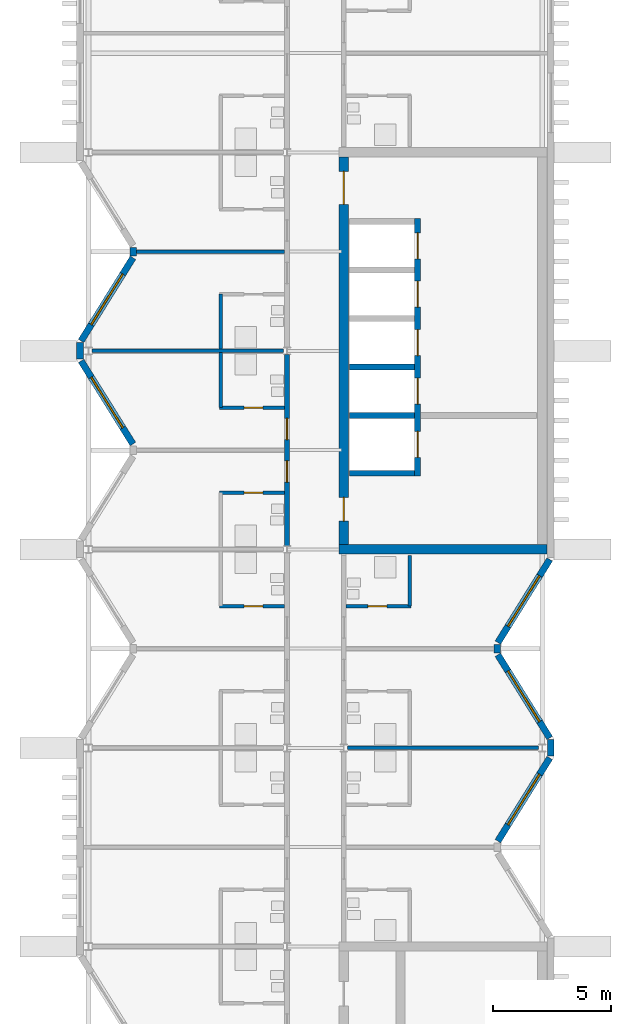
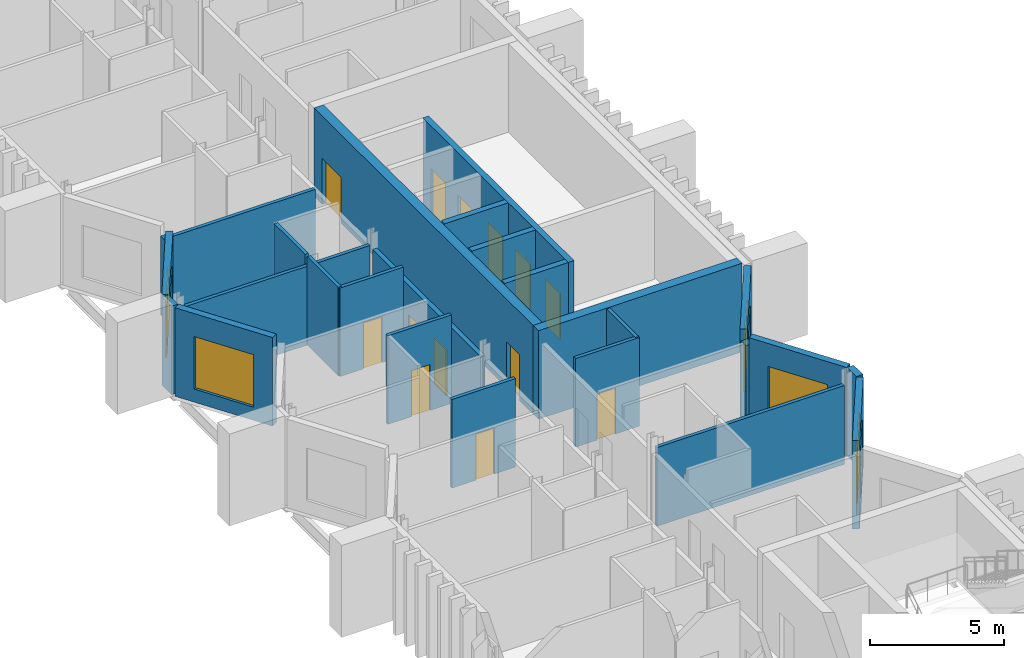
# One storey, part 6 of 11: 26 walls, 13 doors, 5 windows, 18 openings.
"""IFC4 building model written with IfcOpenShell, lengths in metres."""

from ifc_helpers import new_model, si_unit, direction, frame, frame_2d, origin, place, context, subcontext, project, spatial, rectangle, extrude, material, layer, layer_set, type_object, element, fill, save


model = new_model("IFC4")

# Units and contexts
model_context = context("Model", 3, precision=1e-05, world=origin(), true_north=direction((0.0, 1.0)))
body_context = subcontext(model_context, "Body", "Model", "MODEL_VIEW")
ifc_project = project(units=[si_unit("LENGTHUNIT", "METRE"), si_unit("AREAUNIT", "SQUARE_METRE"), si_unit("VOLUMEUNIT", "CUBIC_METRE"), si_unit("PLANEANGLEUNIT", "RADIAN"), si_unit("MASSUNIT", "GRAM", prefix="KILO")], contexts=[model_context])

# Site, building, storey
site_placement = place(None, origin())
site = spatial("IfcSite", under=ifc_project, at=site_placement, CompositionType="ELEMENT")
building_placement = place(site_placement, origin())
building = spatial("IfcBuilding", under=site, at=building_placement, Name="Cresset Court Congress Hotel", CompositionType="ELEMENT")
storey_placement = place(building_placement, frame((0.0, 0.0, 52.199951171875)))
storey = spatial("IfcBuildingStorey", under=building, at=storey_placement, Name="L12", CompositionType="ELEMENT", Elevation=52.199951171875)

# Wall, openings, doors
ifc_material_1 = material(Name="Gypsum board partition")
ifc_layer_1 = layer(ifc_material_1, 0.199951171875)
ifc_layer_set_1 = layer_set([ifc_layer_1], Name="Corridor wall 200")
wall_type_1 = type_object("IfcWallType", Name="Corridor wall 200", PredefinedType="PARTITIONING", material=ifc_layer_set_1)
wall_1_placement = place(storey_placement, frame((165.60009765625, 25.35009765625, 0.0), z_axis=(0.0, 0.0, 1.0), x_axis=(0.0, 1.0, 0.0)))
wall_1 = element("IfcWall", 1, at=wall_1_placement, inside=storey, type_object=wall_type_1, Name="A.wl.L12.073", PredefinedType="PARTITIONING", context=body_context, shape_type="SweptSolid", body=[
    extrude(rectangle(XDim=8.099853515625, YDim=0.199951171875, at=frame_2d((4.0498046875, 0.0))), origin(), (0.0, 0.0, 1.0), 3.449951171875),
])
opening_1_placement = place(wall_1_placement, frame((2.699951171875, 0.0, 0.0)))
opening_1 = element("IfcOpeningElement", 2, at=opening_1_placement, cuts=wall_1, Name="Opening DA-12-14", PredefinedType="OPENING", context=body_context, shape_type="SweptSolid", body=[
    extrude(rectangle(XDim=0.89990234375, YDim=2.10009765625, at=frame_2d((0.449951171875, 1.050048828125))), frame((0.0, 0.10986328125, 0.0), z_axis=(0.0, -1.0, 0.0), x_axis=(1.0, 0.0, 0.0)), (0.0, 0.0, 1.0), 0.219970703125),
])
opening_2_placement = place(wall_1_placement, frame((4.5, 0.0, 0.0)))
opening_2 = element("IfcOpeningElement", 3, at=opening_2_placement, cuts=wall_1, Name="Opening DA-12-16", PredefinedType="OPENING", context=body_context, shape_type="SweptSolid", body=[
    extrude(rectangle(XDim=0.89990234375, YDim=2.10009765625, at=frame_2d((0.449951171875, 1.050048828125))), frame((0.0, 0.10986328125, 0.0), z_axis=(0.0, -1.0, 0.0), x_axis=(1.0, 0.0, 0.0)), (0.0, 0.0, 1.0), 0.219970703125),
])
ifc_material_2 = material(Name="timber", Category="wood")
door_type_1 = type_object("IfcDoorType", Name="Guest-room entry door 900x2100 FD30S", OperationType="SINGLE_SWING_LEFT", PredefinedType="DOOR", material=ifc_material_2)
door_1_placement = place(opening_1_placement, origin())
door_1 = element("IfcDoor", 4, at=door_1_placement, inside=storey, type_object=door_type_1, Name="Door DA-12-14", OperationType="SINGLE_SWING_RIGHT", OverallHeight=2.10009765625, OverallWidth=0.89990234375, PredefinedType="DOOR", context=body_context, shape_type="SweptSolid", body=[
    extrude(rectangle(XDim=0.89990234375, YDim=2.10009765625, at=frame_2d((0.449951171875, 1.050048828125))), frame((0.0, 0.02490234375, 0.0), z_axis=(0.0, -1.0, 0.0), x_axis=(1.0, 0.0, 0.0)), (0.0, 0.0, 1.0), 0.050048828125),
])
fill(opening_1, door_1)
door_2_placement = place(opening_2_placement, origin())
door_2 = element("IfcDoor", 5, at=door_2_placement, inside=storey, type_object=door_type_1, Name="Door DA-12-16", OperationType="SINGLE_SWING_LEFT", OverallHeight=2.10009765625, OverallWidth=0.89990234375, PredefinedType="DOOR", context=body_context, shape_type="SweptSolid", body=[
    extrude(rectangle(XDim=0.89990234375, YDim=2.10009765625, at=frame_2d((0.449951171875, 1.050048828125))), frame((0.0, 0.02490234375, 0.0), z_axis=(0.0, -1.0, 0.0), x_axis=(1.0, 0.0, 0.0)), (0.0, 0.0, 1.0), 0.050048828125),
])
fill(opening_2, door_2)

# Wall, opening, door
ifc_material_3 = material(Name="Gypsum board partition")
ifc_layer_2 = layer(ifc_material_3, 0.14990234375)
ifc_layer_set_2 = layer_set([ifc_layer_2], Name="En-suite wall 150")
wall_type_2 = type_object("IfcWallType", Name="En-suite wall 150", PredefinedType="PARTITIONING", material=ifc_layer_set_2)
wall_2_placement = place(storey_placement, frame((162.75, 22.800048828125, 0.0), z_axis=(0.0, 0.0, 1.0), x_axis=(1.0, 0.0, 0.0)))
wall_2 = element("IfcWall", 6, at=wall_2_placement, inside=storey, type_object=wall_type_2, Name="A.wl.L12.012", PredefinedType="PARTITIONING", context=body_context, shape_type="SweptSolid", body=[
    extrude(rectangle(XDim=2.75, YDim=0.14990234375, at=frame_2d((1.375, 0.0))), origin(), (0.0, 0.0, 1.0), 4.050048828125),
])
opening_3_placement = place(wall_2_placement, frame((1.030029296875, 0.0, 0.0)))
opening_3 = element("IfcOpeningElement", 7, at=opening_3_placement, cuts=wall_2, Name="Opening DA-12-11", PredefinedType="OPENING", context=body_context, shape_type="SweptSolid", body=[
    extrude(rectangle(XDim=0.800048828125, YDim=2.10009765625, at=frame_2d((0.39990234375, 1.050048828125))), frame((0.0, 0.0849609375, 0.0), z_axis=(0.0, -1.0, 0.0), x_axis=(1.0, 0.0, 0.0)), (0.0, 0.0, 1.0), 0.169921875),
])
ifc_material_4 = material(Name="timber", Category="wood")
door_type_2 = type_object("IfcDoorType", Name="En-suite door 800x2100", OperationType="SINGLE_SWING_LEFT", PredefinedType="DOOR", material=ifc_material_4)
door_3_placement = place(opening_3_placement, origin())
door_3 = element("IfcDoor", 8, at=door_3_placement, inside=storey, type_object=door_type_2, Name="Door DA-12-11", OperationType="SINGLE_SWING_LEFT", OverallHeight=2.10009765625, OverallWidth=0.800048828125, PredefinedType="DOOR", context=body_context, shape_type="SweptSolid", body=[
    extrude(rectangle(XDim=0.800048828125, YDim=2.10009765625, at=frame_2d((0.39990234375, 1.050048828125))), frame((0.0, 0.02490234375, 0.0), z_axis=(0.0, -1.0, 0.0), x_axis=(1.0, 0.0, 0.0)), (0.0, 0.0, 1.0), 0.050048828125),
])
fill(opening_3, door_3)

wall_3_placement = place(storey_placement, frame((162.75, 27.60009765625, 0.0), z_axis=(0.0, 0.0, 1.0), x_axis=(1.0, 0.0, 0.0)))
wall_3 = element("IfcWall", 9, at=wall_3_placement, inside=storey, type_object=wall_type_2, Name="A.wl.L12.014", PredefinedType="PARTITIONING", context=body_context, shape_type="SweptSolid", body=[
    extrude(rectangle(XDim=2.75, YDim=0.14990234375, at=frame_2d((1.375, 0.0))), origin(), (0.0, 0.0, 1.0), 4.050048828125),
])
opening_4_placement = place(wall_3_placement, frame((1.030029296875, 0.0, 0.0)))
opening_4 = element("IfcOpeningElement", 10, at=opening_4_placement, cuts=wall_3, Name="Opening DA-12-13", PredefinedType="OPENING", context=body_context, shape_type="SweptSolid", body=[
    extrude(rectangle(XDim=0.800048828125, YDim=2.10009765625, at=frame_2d((0.39990234375, 1.050048828125))), frame((0.0, 0.0849609375, 0.0), z_axis=(0.0, -1.0, 0.0), x_axis=(1.0, 0.0, 0.0)), (0.0, 0.0, 1.0), 0.169921875),
])
door_4_placement = place(opening_4_placement, origin())
door_4 = element("IfcDoor", 11, at=door_4_placement, inside=storey, type_object=door_type_2, Name="Door DA-12-13", OperationType="SINGLE_SWING_RIGHT", OverallHeight=2.10009765625, OverallWidth=0.800048828125, PredefinedType="DOOR", context=body_context, shape_type="SweptSolid", body=[
    extrude(rectangle(XDim=0.800048828125, YDim=2.10009765625, at=frame_2d((0.39990234375, 1.050048828125))), frame((0.0, 0.02490234375, 0.0), z_axis=(0.0, -1.0, 0.0), x_axis=(1.0, 0.0, 0.0)), (0.0, 0.0, 1.0), 0.050048828125),
])
fill(opening_4, door_4)

# Wall
wall_4_placement = place(storey_placement, frame((162.800048828125, 31.199951171875, 0.0), z_axis=(0.0, 0.0, 1.0), x_axis=(0.0, 1.0, 0.0)))
element("IfcWall", 12, at=wall_4_placement, inside=storey, type_object=wall_type_2, Name="A.wl.L12.015", PredefinedType="PARTITIONING", context=body_context, shape_type="SweptSolid", body=[
    extrude(rectangle(XDim=2.324951171875, YDim=0.14990234375, at=frame_2d((1.16259765625, 0.0))), origin(), (0.0, 0.0, 1.0), 4.050048828125),
])

# Wall, opening, door
wall_5_placement = place(storey_placement, frame((162.75, 31.199951171875, 0.0), z_axis=(0.0, 0.0, 1.0), x_axis=(1.0, 0.0, 0.0)))
wall_5 = element("IfcWall", 13, at=wall_5_placement, inside=storey, type_object=wall_type_2, Name="A.wl.L12.016", PredefinedType="PARTITIONING", context=body_context, shape_type="SweptSolid", body=[
    extrude(rectangle(XDim=2.75, YDim=0.14990234375, at=frame_2d((1.375, 0.0))), origin(), (0.0, 0.0, 1.0), 4.050048828125),
])
opening_5_placement = place(wall_5_placement, frame((1.030029296875, 0.0, 0.0)))
opening_5 = element("IfcOpeningElement", 14, at=opening_5_placement, cuts=wall_5, Name="Opening DA-12-15", PredefinedType="OPENING", context=body_context, shape_type="SweptSolid", body=[
    extrude(rectangle(XDim=0.800048828125, YDim=2.10009765625, at=frame_2d((0.39990234375, 1.050048828125))), frame((0.0, 0.0849609375, 0.0), z_axis=(0.0, -1.0, 0.0), x_axis=(1.0, 0.0, 0.0)), (0.0, 0.0, 1.0), 0.169921875),
])
door_5_placement = place(opening_5_placement, origin())
door_5 = element("IfcDoor", 15, at=door_5_placement, inside=storey, type_object=door_type_2, Name="Door DA-12-15", OperationType="SINGLE_SWING_LEFT", OverallHeight=2.10009765625, OverallWidth=0.800048828125, PredefinedType="DOOR", context=body_context, shape_type="SweptSolid", body=[
    extrude(rectangle(XDim=0.800048828125, YDim=2.10009765625, at=frame_2d((0.39990234375, 1.050048828125))), frame((0.0, 0.02490234375, 0.0), z_axis=(0.0, -1.0, 0.0), x_axis=(1.0, 0.0, 0.0)), (0.0, 0.0, 1.0), 0.050048828125),
])
fill(opening_5, door_5)

# Walls
wall_6_placement = place(storey_placement, frame((162.800048828125, 33.675048828125, 0.0), z_axis=(0.0, 0.0, 1.0), x_axis=(0.0, 1.0, 0.0)))
element("IfcWall", 16, at=wall_6_placement, inside=storey, type_object=wall_type_2, Name="A.wl.L12.017", PredefinedType="PARTITIONING", context=body_context, shape_type="SweptSolid", body=[
    extrude(rectangle(XDim=2.324951171875, YDim=0.14990234375, at=frame_2d((1.16259765625, 0.0))), origin(), (0.0, 0.0, 1.0), 4.050048828125),
])
wall_7_placement = place(storey_placement, frame((170.800048828125, 22.800048828125, 0.0), z_axis=(0.0, 0.0, 1.0), x_axis=(0.0, 1.0, 0.0)))
element("IfcWall", 17, at=wall_7_placement, inside=storey, type_object=wall_type_2, Name="A.wl.L12.039", PredefinedType="PARTITIONING", context=body_context, shape_type="SweptSolid", body=[
    extrude(rectangle(XDim=2.14990234375, YDim=0.14990234375, at=frame_2d((1.074951171875, 0.0))), origin(), (0.0, 0.0, 1.0), 4.050048828125),
])

# Wall, opening, door
wall_8_placement = place(storey_placement, frame((170.85009765625, 22.800048828125, 0.0), z_axis=(0.0, 0.0, 1.0), x_axis=(-1.0, 0.0, 0.0)))
wall_8 = element("IfcWall", 18, at=wall_8_placement, inside=storey, type_object=wall_type_2, Name="A.wl.L12.040", PredefinedType="PARTITIONING", context=body_context, shape_type="SweptSolid", body=[
    extrude(rectangle(XDim=2.75, YDim=0.14990234375, at=frame_2d((1.375, 0.0))), origin(), (0.0, 0.0, 1.0), 4.050048828125),
])
opening_6_placement = place(wall_8_placement, frame((1.030029296875, 0.0, 0.0)))
opening_6 = element("IfcOpeningElement", 19, at=opening_6_placement, cuts=wall_8, Name="Opening DA-12-39", PredefinedType="OPENING", context=body_context, shape_type="SweptSolid", body=[
    extrude(rectangle(XDim=0.800048828125, YDim=2.10009765625, at=frame_2d((0.39990234375, 1.050048828125))), frame((0.0, 0.0849609375, 0.0), z_axis=(0.0, -1.0, 0.0), x_axis=(1.0, 0.0, 0.0)), (0.0, 0.0, 1.0), 0.169921875),
])
door_6_placement = place(opening_6_placement, origin())
door_6 = element("IfcDoor", 20, at=door_6_placement, inside=storey, type_object=door_type_2, Name="Door DA-12-39", OperationType="SINGLE_SWING_LEFT", OverallHeight=2.10009765625, OverallWidth=0.800048828125, PredefinedType="DOOR", context=body_context, shape_type="SweptSolid", body=[
    extrude(rectangle(XDim=0.800048828125, YDim=2.10009765625, at=frame_2d((0.39990234375, 1.050048828125))), frame((0.0, 0.02490234375, 0.0), z_axis=(0.0, -1.0, 0.0), x_axis=(1.0, 0.0, 0.0)), (0.0, 0.0, 1.0), 0.050048828125),
])
fill(opening_6, door_6)

# Wall, opening, window
ifc_material_5 = material(Name="Precast concrete C50", Category="concrete")
ifc_layer_3 = layer(ifc_material_5, 0.280029296875)
ifc_layer_set_3 = layer_set([ifc_layer_3], Name="External wall 280")
wall_type_3 = type_object("IfcWallType", Name="External wall 280", PredefinedType="SOLIDWALL", material=ifc_layer_set_3)
wall_9_placement = place(storey_placement, frame((159.07861328125, 29.658935546875, 0.0), z_axis=(0.0, 0.0, 1.0), x_axis=(-0.529018946142, 0.848610013271, 0.0)))
wall_9 = element("IfcWall", 21, at=wall_9_placement, inside=storey, type_object=wall_type_3, Name="A.ew.L12.Wn.3.1", PredefinedType="SOLIDWALL", context=body_context, shape_type="SweptSolid", body=[
    extrude(rectangle(XDim=4.144287109375, YDim=0.280029296875, at=frame_2d((2.072265625, 0.0))), origin(), (0.0, 0.0, 1.0), 4.050048828125),
])
opening_7_placement = place(wall_9_placement, frame((0.812255859375, 0.0, 0.60009765625)))
opening_7 = element("IfcOpeningElement", 22, at=opening_7_placement, cuts=wall_9, Name="Opening NA-12-08", PredefinedType="OPENING", context=body_context, shape_type="SweptSolid", body=[
    extrude(rectangle(XDim=2.52001953125, YDim=2.39990234375, at=frame_2d((1.260009765625, 1.199951171875))), frame((0.0, 0.14990234375, 0.0), z_axis=(0.0, -1.0, 0.0), x_axis=(1.0, 0.0, 0.0)), (0.0, 0.0, 1.0), 0.300048828125),
])
ifc_material_6 = material(Name="Aluminium and glass", Category="aluminium")
window_type = type_object("IfcWindowType", Name="Window 2520x2400", PartitioningType="SINGLE_PANEL", PredefinedType="WINDOW", material=ifc_material_6)
window_1_placement = place(opening_7_placement, origin())
window_1 = element("IfcWindow", 23, at=window_1_placement, inside=storey, type_object=window_type, Name="Window NA-12-08", OverallHeight=2.39990234375, OverallWidth=2.52001953125, PartitioningType="SINGLE_PANEL", PredefinedType="WINDOW", context=body_context, shape_type="SweptSolid", body=[
    extrude(rectangle(XDim=2.52001953125, YDim=2.39990234375, at=frame_2d((1.260009765625, 1.199951171875))), frame((0.0, 0.030029296875, 0.0), z_axis=(0.0, -1.0, 0.0), x_axis=(1.0, 0.0, 0.0)), (0.0, 0.0, 1.0), 0.06005859375),
])
fill(opening_7, window_1)

# Wall
wall_10_placement = place(storey_placement, frame((156.840087890625, 33.25, 0.0), z_axis=(0.0, 0.0, 1.0), x_axis=(0.0, 1.0, 0.0)))
element("IfcWall", 24, at=wall_10_placement, inside=storey, type_object=wall_type_3, Name="A.ew.L12.W.4", PredefinedType="SOLIDWALL", context=body_context, shape_type="SweptSolid", body=[
    extrude(rectangle(XDim=0.699951171875, YDim=0.280029296875, at=frame_2d((0.35009765625, 0.0))), origin(), (0.0, 0.0, 1.0), 4.050048828125),
])

# Wall, opening, window
wall_11_placement = place(storey_placement, frame((156.88623046875, 34.024169921875, 0.0), z_axis=(0.0, 0.0, 1.0), x_axis=(0.529018946142, 0.848610013271, 0.0)))
wall_11 = element("IfcWall", 25, at=wall_11_placement, inside=storey, type_object=wall_type_3, Name="A.ew.L12.Wn.4.0", PredefinedType="SOLIDWALL", context=body_context, shape_type="SweptSolid", body=[
    extrude(rectangle(XDim=4.144287109375, YDim=0.280029296875, at=frame_2d((2.072265625, 0.0))), origin(), (0.0, 0.0, 1.0), 4.050048828125),
])
opening_8_placement = place(wall_11_placement, frame((0.812255859375, 0.0, 0.60009765625)))
opening_8 = element("IfcOpeningElement", 26, at=opening_8_placement, cuts=wall_11, Name="Opening NA-12-09", PredefinedType="OPENING", context=body_context, shape_type="SweptSolid", body=[
    extrude(rectangle(XDim=2.52001953125, YDim=2.39990234375, at=frame_2d((1.260009765625, 1.199951171875))), frame((0.0, 0.14990234375, 0.0), z_axis=(0.0, -1.0, 0.0), x_axis=(1.0, 0.0, 0.0)), (0.0, 0.0, 1.0), 0.300048828125),
])
window_2_placement = place(opening_8_placement, origin())
window_2 = element("IfcWindow", 27, at=window_2_placement, inside=storey, type_object=window_type, Name="Window NA-12-09", OverallHeight=2.39990234375, OverallWidth=2.52001953125, PartitioningType="SINGLE_PANEL", PredefinedType="WINDOW", context=body_context, shape_type="SweptSolid", body=[
    extrude(rectangle(XDim=2.52001953125, YDim=2.39990234375, at=frame_2d((1.260009765625, 1.199951171875))), frame((0.0, 0.030029296875, 0.0), z_axis=(0.0, -1.0, 0.0), x_axis=(1.0, 0.0, 0.0)), (0.0, 0.0, 1.0), 0.06005859375),
])
fill(opening_8, window_2)

# Wall
wall_12_placement = place(storey_placement, frame((159.099609375, 37.614990234375, 0.0), z_axis=(0.0, 0.0, 1.0), x_axis=(0.0, 1.0, 0.0)))
element("IfcWall", 28, at=wall_12_placement, inside=storey, type_object=wall_type_3, Name="A.ew.L12.Wn.4.2", PredefinedType="SOLIDWALL", context=body_context, shape_type="SweptSolid", body=[
    extrude(rectangle(XDim=0.369873046875, YDim=0.280029296875, at=frame_2d((0.18505859375, 0.0))), origin(), (0.0, 0.0, 1.0), 3.60400390625),
])

# Wall, opening, window
wall_13_placement = place(storey_placement, frame((174.521484375, 12.85888671875, 0.0), z_axis=(0.0, 0.0, 1.0), x_axis=(0.528992500338, 0.848626498871, 0.0)))
wall_13 = element("IfcWall", 29, at=wall_13_placement, inside=storey, type_object=wall_type_3, Name="A.ew.L12.En.1.1", PredefinedType="SOLIDWALL", context=body_context, shape_type="SweptSolid", body=[
    extrude(rectangle(XDim=4.14453125, YDim=0.280029296875, at=frame_2d((2.072265625, 0.0))), origin(), (0.0, 0.0, 1.0), 4.050048828125),
])
opening_9_placement = place(wall_13_placement, frame((0.81201171875, 0.0, 0.60009765625)))
opening_9 = element("IfcOpeningElement", 30, at=opening_9_placement, cuts=wall_13, Name="Opening NA-12-18", PredefinedType="OPENING", context=body_context, shape_type="SweptSolid", body=[
    extrude(rectangle(XDim=2.52001953125, YDim=2.39990234375, at=frame_2d((1.260009765625, 1.199951171875))), frame((0.0, 0.14990234375, 0.0), z_axis=(0.0, -1.0, 0.0), x_axis=(1.0, 0.0, 0.0)), (0.0, 0.0, 1.0), 0.300048828125),
])
window_3_placement = place(opening_9_placement, origin())
window_3 = element("IfcWindow", 31, at=window_3_placement, inside=storey, type_object=window_type, Name="Window NA-12-18", OverallHeight=2.39990234375, OverallWidth=2.52001953125, PartitioningType="SINGLE_PANEL", PredefinedType="WINDOW", context=body_context, shape_type="SweptSolid", body=[
    extrude(rectangle(XDim=2.52001953125, YDim=2.39990234375, at=frame_2d((1.260009765625, 1.199951171875))), frame((0.0, 0.030029296875, 0.0), z_axis=(0.0, -1.0, 0.0), x_axis=(1.0, 0.0, 0.0)), (0.0, 0.0, 1.0), 0.06005859375),
])
fill(opening_9, window_3)

# Wall
wall_14_placement = place(storey_placement, frame((176.760009765625, 16.449951171875, 0.0), z_axis=(0.0, 0.0, 1.0), x_axis=(0.0, 1.0, 0.0)))
element("IfcWall", 32, at=wall_14_placement, inside=storey, type_object=wall_type_3, Name="A.ew.L12.E.2", PredefinedType="SOLIDWALL", context=body_context, shape_type="SweptSolid", body=[
    extrude(rectangle(XDim=0.699951171875, YDim=0.280029296875, at=frame_2d((0.35009765625, 0.0))), origin(), (0.0, 0.0, 1.0), 4.050048828125),
])

# Wall, opening, window
wall_15_placement = place(storey_placement, frame((176.7138671875, 17.22412109375, 0.0), z_axis=(0.0, 0.0, 1.0), x_axis=(-0.529018946142, 0.848610013271, 0.0)))
wall_15 = element("IfcWall", 33, at=wall_15_placement, inside=storey, type_object=wall_type_3, Name="A.ew.L12.En.2.0", PredefinedType="SOLIDWALL", context=body_context, shape_type="SweptSolid", body=[
    extrude(rectangle(XDim=4.144287109375, YDim=0.280029296875, at=frame_2d((2.072265625, 0.0))), origin(), (0.0, 0.0, 1.0), 4.050048828125),
])
opening_10_placement = place(wall_15_placement, frame((0.81201171875, 0.0, 0.60009765625)))
opening_10 = element("IfcOpeningElement", 34, at=opening_10_placement, cuts=wall_15, Name="Opening NA-12-19", PredefinedType="OPENING", context=body_context, shape_type="SweptSolid", body=[
    extrude(rectangle(XDim=2.52001953125, YDim=2.39990234375, at=frame_2d((1.260009765625, 1.199951171875))), frame((0.0, 0.14990234375, 0.0), z_axis=(0.0, -1.0, 0.0), x_axis=(1.0, 0.0, 0.0)), (0.0, 0.0, 1.0), 0.300048828125),
])
window_4_placement = place(opening_10_placement, origin())
window_4 = element("IfcWindow", 35, at=window_4_placement, inside=storey, type_object=window_type, Name="Window NA-12-19", OverallHeight=2.39990234375, OverallWidth=2.52001953125, PartitioningType="SINGLE_PANEL", PredefinedType="WINDOW", context=body_context, shape_type="SweptSolid", body=[
    extrude(rectangle(XDim=2.52001953125, YDim=2.39990234375, at=frame_2d((1.260009765625, 1.199951171875))), frame((0.0, 0.030029296875, 0.0), z_axis=(0.0, -1.0, 0.0), x_axis=(1.0, 0.0, 0.0)), (0.0, 0.0, 1.0), 0.06005859375),
])
fill(opening_10, window_4)

wall_16_placement = place(storey_placement, frame((174.521484375, 21.259033203125, 0.0), z_axis=(0.0, 0.0, 1.0), x_axis=(0.529018946142, 0.848610013271, 0.0)))
wall_16 = element("IfcWall", 36, at=wall_16_placement, inside=storey, type_object=wall_type_3, Name="A.ew.L12.En.2.1", PredefinedType="SOLIDWALL", context=body_context, shape_type="SweptSolid", body=[
    extrude(rectangle(XDim=4.144287109375, YDim=0.280029296875, at=frame_2d((2.072265625, 0.0))), origin(), (0.0, 0.0, 1.0), 4.050048828125),
])
opening_11_placement = place(wall_16_placement, frame((0.81201171875, 0.0, 0.60009765625)))
opening_11 = element("IfcOpeningElement", 37, at=opening_11_placement, cuts=wall_16, Name="Opening NA-12-20", PredefinedType="OPENING", context=body_context, shape_type="SweptSolid", body=[
    extrude(rectangle(XDim=2.52001953125, YDim=2.39990234375, at=frame_2d((1.260009765625, 1.199951171875))), frame((0.0, 0.14990234375, 0.0), z_axis=(0.0, -1.0, 0.0), x_axis=(1.0, 0.0, 0.0)), (0.0, 0.0, 1.0), 0.300048828125),
])
window_5_placement = place(opening_11_placement, origin())
window_5 = element("IfcWindow", 38, at=window_5_placement, inside=storey, type_object=window_type, Name="Window NA-12-20", OverallHeight=2.39990234375, OverallWidth=2.52001953125, PartitioningType="SINGLE_PANEL", PredefinedType="WINDOW", context=body_context, shape_type="SweptSolid", body=[
    extrude(rectangle(XDim=2.52001953125, YDim=2.39990234375, at=frame_2d((1.260009765625, 1.199951171875))), frame((0.0, 0.030029296875, 0.0), z_axis=(0.0, -1.0, 0.0), x_axis=(1.0, 0.0, 0.0)), (0.0, 0.0, 1.0), 0.06005859375),
])
fill(opening_11, window_5)

# Walls
wall_17_placement = place(storey_placement, frame((174.500244140625, 20.815185546875, 0.0), z_axis=(0.0, 0.0, 1.0), x_axis=(0.0, 1.0, 0.0)))
element("IfcWall", 39, at=wall_17_placement, inside=storey, type_object=wall_type_3, Name="A.ew.L12.En.2.2", PredefinedType="SOLIDWALL", context=body_context, shape_type="SweptSolid", body=[
    extrude(rectangle(XDim=0.36962890625, YDim=0.280029296875, at=frame_2d((0.184814453125, 0.0))), origin(), (0.0, 0.0, 1.0), 3.60400390625),
])
ifc_material_7 = material(Name="Gypsum board partition")
ifc_layer_4 = layer(ifc_material_7, 0.14990234375)
ifc_layer_set_4 = layer_set([ifc_layer_4], Name="Guest-room partition 150")
wall_type_4 = type_object("IfcWallType", Name="Guest-room partition 150", PredefinedType="PARTITIONING", material=ifc_layer_set_4)
wall_18_placement = place(storey_placement, frame((157.35009765625, 33.60009765625, 0.0), z_axis=(0.0, 0.0, 1.0), x_axis=(1.0, 0.0, 0.0)))
element("IfcWall", 40, at=wall_18_placement, inside=storey, type_object=wall_type_4, Name="A.wl.L12.052", PredefinedType="PARTITIONING", context=body_context, shape_type="SweptSolid", body=[
    extrude(rectangle(XDim=8.099853515625, YDim=0.14990234375, at=frame_2d((4.0498046875, 0.0))), origin(), (0.0, 0.0, 1.0), 3.60400390625),
])
wall_19_placement = place(storey_placement, frame((168.14990234375, 16.800048828125, 0.0), z_axis=(0.0, 0.0, 1.0), x_axis=(1.0, 0.0, 0.0)))
element("IfcWall", 41, at=wall_19_placement, inside=storey, type_object=wall_type_4, Name="A.wl.L12.056", PredefinedType="PARTITIONING", context=body_context, shape_type="SweptSolid", body=[
    extrude(rectangle(XDim=8.10009765625, YDim=0.14990234375, at=frame_2d((4.050048828125, 0.0))), origin(), (0.0, 0.0, 1.0), 3.60400390625),
])
wall_20_placement = place(storey_placement, frame((159.23974609375, 37.800048828125, 0.0), z_axis=(0.0, 0.0, 1.0), x_axis=(1.0, 0.0, 0.0)))
element("IfcWall", 42, at=wall_20_placement, inside=storey, type_object=wall_type_4, Name="A.wl.L12.062", PredefinedType="PARTITIONING", context=body_context, shape_type="SweptSolid", body=[
    extrude(rectangle(XDim=6.26025390625, YDim=0.14990234375, at=frame_2d((3.130126953125, 0.0))), origin(), (0.0, 0.0, 1.0), 3.60400390625),
])
ifc_material_8 = material(Name="Concrete C50", Category="concrete")
ifc_layer_5 = layer(ifc_material_8, 0.39990234375)
ifc_layer_set_5 = layer_set([ifc_layer_5], Name="Lift core wall 400")
wall_type_5 = type_object("IfcWallType", Name="Lift core wall 400", PredefinedType="SOLIDWALL", material=ifc_layer_set_5)
wall_21_placement = place(storey_placement, frame((167.800048828125, 25.199951171875, 0.0), z_axis=(0.0, 0.0, 1.0), x_axis=(1.0, 0.0, 0.0)))
element("IfcWall", 43, at=wall_21_placement, inside=storey, type_object=wall_type_5, Name="A.cw.LC-A.L12.S", PredefinedType="SOLIDWALL", context=body_context, shape_type="SweptSolid", body=[
    extrude(rectangle(XDim=8.800048828125, YDim=0.39990234375, at=frame_2d((4.39990234375, 0.0))), origin(), (0.0, 0.0, 1.0), 4.050048828125),
])

# Wall, openings, doors
wall_22_placement = place(storey_placement, frame((168.0, 25.39990234375, 0.0), z_axis=(0.0, 0.0, 1.0), x_axis=(0.0, 1.0, 0.0)))
wall_22 = element("IfcWall", 44, at=wall_22_placement, inside=storey, type_object=wall_type_5, Name="A.cw.LC-A.L12.W", PredefinedType="SOLIDWALL", context=body_context, shape_type="SweptSolid", body=[
    extrude(rectangle(XDim=16.400146484375, YDim=0.39990234375, at=frame_2d((8.2001953125, 0.0))), origin(), (0.0, 0.0, 1.0), 4.050048828125),
])
opening_12_placement = place(wall_22_placement, frame((1.0, 0.0, 0.0)))
opening_12 = element("IfcOpeningElement", 45, at=opening_12_placement, cuts=wall_22, Name="Opening DA-12-60", PredefinedType="OPENING", context=body_context, shape_type="SweptSolid", body=[
    extrude(rectangle(XDim=1.0, YDim=2.10009765625, at=frame_2d((0.5, 1.050048828125))), frame((0.0, 0.2099609375, 0.0), z_axis=(0.0, -1.0, 0.0), x_axis=(1.0, 0.0, 0.0)), (0.0, 0.0, 1.0), 0.419921875),
])
opening_13_placement = place(wall_22_placement, frame((14.39990234375, 0.0, 0.0)))
opening_13 = element("IfcOpeningElement", 46, at=opening_13_placement, cuts=wall_22, Name="Opening DA-12-61", PredefinedType="OPENING", context=body_context, shape_type="SweptSolid", body=[
    extrude(rectangle(XDim=1.39990234375, YDim=2.10009765625, at=frame_2d((0.699951171875, 1.050048828125))), frame((0.0, 0.2099609375, 0.0), z_axis=(0.0, -1.0, 0.0), x_axis=(1.0, 0.0, 0.0)), (0.0, 0.0, 1.0), 0.419921875),
])
ifc_material_9 = material(Name="steel", Category="steel")
door_type_3 = type_object("IfcDoorType", Name="Lobby door 1000x2100 FD60", OperationType="SINGLE_SWING_LEFT", PredefinedType="DOOR", material=ifc_material_9)
door_7_placement = place(opening_12_placement, origin())
door_7 = element("IfcDoor", 47, at=door_7_placement, inside=storey, type_object=door_type_3, Name="Door DA-12-60", OperationType="SINGLE_SWING_RIGHT", OverallHeight=2.10009765625, OverallWidth=1.0, PredefinedType="DOOR", context=body_context, shape_type="SweptSolid", body=[
    extrude(rectangle(XDim=1.0, YDim=2.10009765625, at=frame_2d((0.5, 1.050048828125))), frame((0.0, 0.02490234375, 0.0), z_axis=(0.0, -1.0, 0.0), x_axis=(1.0, 0.0, 0.0)), (0.0, 0.0, 1.0), 0.050048828125),
])
fill(opening_12, door_7)
ifc_material_10 = material(Name="steel", Category="steel")
door_type_4 = type_object("IfcDoorType", Name="Lobby door 1400x2100 FD60", OperationType="DOUBLE_DOOR_DOUBLE_SWING", PredefinedType="DOOR", material=ifc_material_10)
door_8_placement = place(opening_13_placement, origin())
door_8 = element("IfcDoor", 48, at=door_8_placement, inside=storey, type_object=door_type_4, Name="Door DA-12-61", OperationType="DOUBLE_DOOR_DOUBLE_SWING", OverallHeight=2.10009765625, OverallWidth=1.39990234375, PredefinedType="DOOR", context=body_context, shape_type="SweptSolid", body=[
    extrude(rectangle(XDim=1.39990234375, YDim=2.10009765625, at=frame_2d((0.699951171875, 1.050048828125))), frame((0.0, 0.02490234375, 0.0), z_axis=(0.0, -1.0, 0.0), x_axis=(1.0, 0.0, 0.0)), (0.0, 0.0, 1.0), 0.050048828125),
])
fill(opening_13, door_8)

ifc_material_11 = material(Name="Concrete C50", Category="concrete")
ifc_layer_6 = layer(ifc_material_11, 0.25)
ifc_layer_set_6 = layer_set([ifc_layer_6], Name="Lift shaft wall 250")
wall_type_6 = type_object("IfcWallType", Name="Lift shaft wall 250", PredefinedType="SOLIDWALL", material=ifc_layer_set_6)
wall_23_placement = place(storey_placement, frame((171.125, 28.300048828125, 0.0), z_axis=(0.0, 0.0, 1.0), x_axis=(0.0, 1.0, 0.0)))
wall_23 = element("IfcWall", 49, at=wall_23_placement, inside=storey, type_object=wall_type_6, Name="A.wl.L12.086", PredefinedType="SOLIDWALL", context=body_context, shape_type="SweptSolid", body=[
    extrude(rectangle(XDim=10.89990234375, YDim=0.25, at=frame_2d((5.449951171875, 0.0))), origin(), (0.0, 0.0, 1.0), 4.050048828125),
])
opening_14_placement = place(wall_23_placement, frame((0.800048828125, 0.0, 0.0)))
opening_14 = element("IfcOpeningElement", 50, at=opening_14_placement, cuts=wall_23, Name="Opening LD-A1-12", PredefinedType="OPENING", context=body_context, shape_type="SweptSolid", body=[
    extrude(rectangle(XDim=1.10009765625, YDim=2.10009765625, at=frame_2d((0.550048828125, 1.050048828125))), frame((0.0, 0.135009765625, 0.0), z_axis=(0.0, -1.0, 0.0), x_axis=(1.0, 0.0, 0.0)), (0.0, 0.0, 1.0), 0.27001953125),
])
opening_15_placement = place(wall_23_placement, frame((3.050048828125, 0.0, 0.0)))
opening_15 = element("IfcOpeningElement", 51, at=opening_15_placement, cuts=wall_23, Name="Opening LD-A2-12", PredefinedType="OPENING", context=body_context, shape_type="SweptSolid", body=[
    extrude(rectangle(XDim=1.10009765625, YDim=2.10009765625, at=frame_2d((0.550048828125, 1.050048828125))), frame((0.0, 0.135009765625, 0.0), z_axis=(0.0, -1.0, 0.0), x_axis=(1.0, 0.0, 0.0)), (0.0, 0.0, 1.0), 0.27001953125),
])
opening_16_placement = place(wall_23_placement, frame((5.10009765625, 0.0, 0.0)))
opening_16 = element("IfcOpeningElement", 52, at=opening_16_placement, cuts=wall_23, Name="Opening LD-A3-12", PredefinedType="OPENING", context=body_context, shape_type="SweptSolid", body=[
    extrude(rectangle(XDim=1.10009765625, YDim=2.10009765625, at=frame_2d((0.550048828125, 1.050048828125))), frame((0.0, 0.135009765625, 0.0), z_axis=(0.0, -1.0, 0.0), x_axis=(1.0, 0.0, 0.0)), (0.0, 0.0, 1.0), 0.27001953125),
])
opening_17_placement = place(wall_23_placement, frame((7.14990234375, 0.0, 0.0)))
opening_17 = element("IfcOpeningElement", 53, at=opening_17_placement, cuts=wall_23, Name="Opening LD-A4-12", PredefinedType="OPENING", context=body_context, shape_type="SweptSolid", body=[
    extrude(rectangle(XDim=1.10009765625, YDim=2.10009765625, at=frame_2d((0.550048828125, 1.050048828125))), frame((0.0, 0.135009765625, 0.0), z_axis=(0.0, -1.0, 0.0), x_axis=(1.0, 0.0, 0.0)), (0.0, 0.0, 1.0), 0.27001953125),
])
opening_18_placement = place(wall_23_placement, frame((9.199951171875, 0.0, 0.0)))
opening_18 = element("IfcOpeningElement", 54, at=opening_18_placement, cuts=wall_23, Name="Opening LD-A5-12", PredefinedType="OPENING", context=body_context, shape_type="SweptSolid", body=[
    extrude(rectangle(XDim=1.10009765625, YDim=2.10009765625, at=frame_2d((0.550048828125, 1.050048828125))), frame((0.0, 0.135009765625, 0.0), z_axis=(0.0, -1.0, 0.0), x_axis=(1.0, 0.0, 0.0)), (0.0, 0.0, 1.0), 0.27001953125),
])
ifc_material_12 = material(Name="stainless steel", Category="steel")
door_type_5 = type_object("IfcDoorType", Name="Lift landing door 1100x2100 E 60", OperationType="SLIDING_TO_LEFT", PredefinedType="DOOR", material=ifc_material_12)
door_9_placement = place(opening_14_placement, origin())
door_9 = element("IfcDoor", 55, at=door_9_placement, inside=storey, type_object=door_type_5, Name="Lift landing door LD-A1-12", OperationType="SLIDING_TO_LEFT", OverallHeight=2.10009765625, OverallWidth=1.10009765625, PredefinedType="DOOR", context=body_context, shape_type="SweptSolid", body=[
    extrude(rectangle(XDim=1.10009765625, YDim=2.10009765625, at=frame_2d((0.550048828125, 1.050048828125))), frame((0.0, 0.02490234375, 0.0), z_axis=(0.0, -1.0, 0.0), x_axis=(1.0, 0.0, 0.0)), (0.0, 0.0, 1.0), 0.050048828125),
])
fill(opening_14, door_9)
door_10_placement = place(opening_15_placement, origin())
door_10 = element("IfcDoor", 56, at=door_10_placement, inside=storey, type_object=door_type_5, Name="Lift landing door LD-A2-12", OperationType="SLIDING_TO_LEFT", OverallHeight=2.10009765625, OverallWidth=1.10009765625, PredefinedType="DOOR", context=body_context, shape_type="SweptSolid", body=[
    extrude(rectangle(XDim=1.10009765625, YDim=2.10009765625, at=frame_2d((0.550048828125, 1.050048828125))), frame((0.0, 0.02490234375, 0.0), z_axis=(0.0, -1.0, 0.0), x_axis=(1.0, 0.0, 0.0)), (0.0, 0.0, 1.0), 0.050048828125),
])
fill(opening_15, door_10)
door_11_placement = place(opening_16_placement, origin())
door_11 = element("IfcDoor", 57, at=door_11_placement, inside=storey, type_object=door_type_5, Name="Lift landing door LD-A3-12", OperationType="SLIDING_TO_LEFT", OverallHeight=2.10009765625, OverallWidth=1.10009765625, PredefinedType="DOOR", context=body_context, shape_type="SweptSolid", body=[
    extrude(rectangle(XDim=1.10009765625, YDim=2.10009765625, at=frame_2d((0.550048828125, 1.050048828125))), frame((0.0, 0.02490234375, 0.0), z_axis=(0.0, -1.0, 0.0), x_axis=(1.0, 0.0, 0.0)), (0.0, 0.0, 1.0), 0.050048828125),
])
fill(opening_16, door_11)
door_12_placement = place(opening_17_placement, origin())
door_12 = element("IfcDoor", 58, at=door_12_placement, inside=storey, type_object=door_type_5, Name="Lift landing door LD-A4-12", OperationType="SLIDING_TO_LEFT", OverallHeight=2.10009765625, OverallWidth=1.10009765625, PredefinedType="DOOR", context=body_context, shape_type="SweptSolid", body=[
    extrude(rectangle(XDim=1.10009765625, YDim=2.10009765625, at=frame_2d((0.550048828125, 1.050048828125))), frame((0.0, 0.02490234375, 0.0), z_axis=(0.0, -1.0, 0.0), x_axis=(1.0, 0.0, 0.0)), (0.0, 0.0, 1.0), 0.050048828125),
])
fill(opening_17, door_12)
door_13_placement = place(opening_18_placement, origin())
door_13 = element("IfcDoor", 59, at=door_13_placement, inside=storey, type_object=door_type_5, Name="Lift landing door LD-A5-12", OperationType="SLIDING_TO_LEFT", OverallHeight=2.10009765625, OverallWidth=1.10009765625, PredefinedType="DOOR", context=body_context, shape_type="SweptSolid", body=[
    extrude(rectangle(XDim=1.10009765625, YDim=2.10009765625, at=frame_2d((0.550048828125, 1.050048828125))), frame((0.0, 0.02490234375, 0.0), z_axis=(0.0, -1.0, 0.0), x_axis=(1.0, 0.0, 0.0)), (0.0, 0.0, 1.0), 0.050048828125),
])
fill(opening_18, door_13)

# Walls
for number, where, z_axis, x_axis, name in (
    (60, (168.25, 28.425048828125, 0.0), (0.0, 0.0, 1.0), (1.0, 0.0, 0.0), "A.wl.L12.087"),
    (61, (168.25, 30.875, 0.0), (0.0, 0.0, 1.0), (1.0, 0.0, 0.0), "A.wl.L12.088"),
    (62, (168.25, 32.925048828125, 0.0), (0.0, 0.0, 1.0), (1.0, 0.0, 0.0), "A.wl.L12.089"),
):
    element("IfcWall", number, at=place(storey_placement, frame(where, z_axis=z_axis, x_axis=x_axis)), inside=storey, type_object=wall_type_6, Name=name, PredefinedType="SOLIDWALL", context=body_context, shape_type="SweptSolid", body=[
        extrude(rectangle(XDim=2.75, YDim=0.25, at=frame_2d((1.375, 0.0))), origin(), (0.0, 0.0, 1.0), 4.050048828125),
    ])

save(model, "model.ifc")
